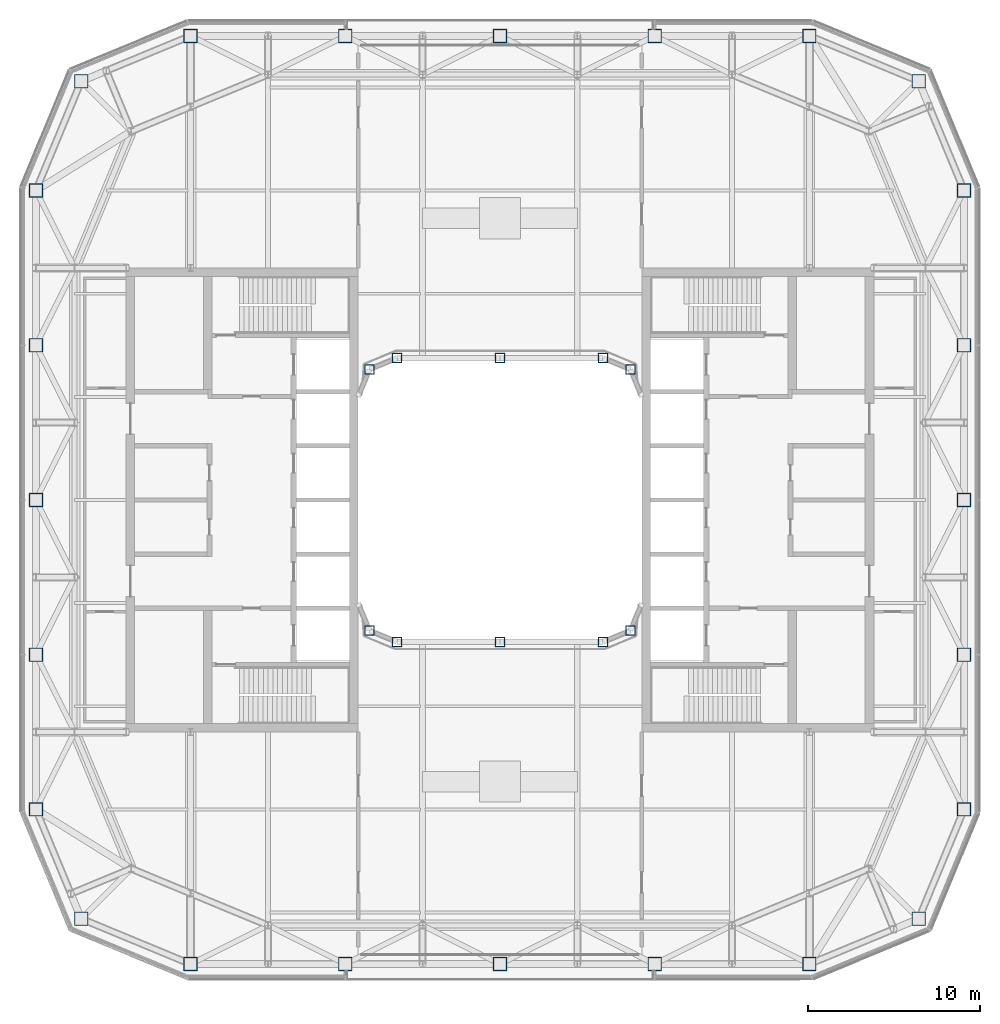
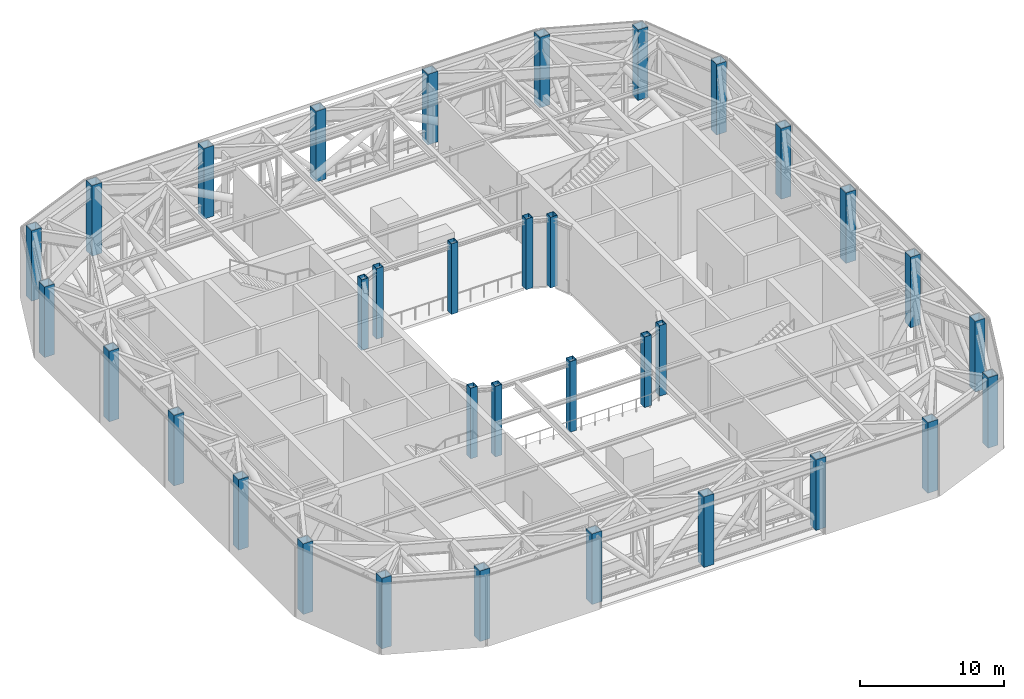
# One storey, part 1 of 21: 34 columns.
"""IFC4 building model written with IfcOpenShell, lengths in metres."""

from ifc_helpers import new_model, si_unit, direction, frame, origin, origin_2d, place, context, subcontext, project, spatial, hollow_rectangle, extrude, material, material_profile, profile_set, type_object, element, save


model = new_model("IFC4")

# Units and contexts
model_context = context("Model", 3, precision=1e-05, world=origin(), true_north=direction((0.0, 1.0)))
body_context = subcontext(model_context, "Body", "Model", "MODEL_VIEW")
ifc_project = project(units=[si_unit("LENGTHUNIT", "METRE"), si_unit("AREAUNIT", "SQUARE_METRE"), si_unit("VOLUMEUNIT", "CUBIC_METRE"), si_unit("PLANEANGLEUNIT", "RADIAN"), si_unit("MASSUNIT", "GRAM", prefix="KILO")], contexts=[model_context])

# Site, building, storey
site_placement = place(None, origin())
site = spatial("IfcSite", under=ifc_project, at=site_placement, CompositionType="ELEMENT")
building_placement = place(site_placement, origin())
building = spatial("IfcBuilding", under=site, at=building_placement, Name="Siwar Civic Tower", CompositionType="ELEMENT")
storey_placement = place(building_placement, frame((0.0, 0.0, 278.199951171875)))
storey = spatial("IfcBuildingStorey", under=building, at=storey_placement, Name="L60", CompositionType="ELEMENT", Elevation=278.199951171875)

# Columns
ifc_material_1 = material(Name="Steel S355", Category="steel")
ifc_material_profile_1 = material_profile(ifc_material_1, hollow_rectangle(XDim=0.800048828125, YDim=0.800048828125, WallThickness=0.044921875, at=origin_2d()), Name="BOX800x800x45")
ifc_profile_set_1 = profile_set([ifc_material_profile_1], Name="Steel S355")
column_type_1 = type_object("IfcColumnType", Name="STR-COL-BOX800x800x45", PredefinedType="COLUMN", material=ifc_profile_set_1)
for number, where, z_axis, x_axis, name in (
    (1, (-18.0, -27.0, 0.0), (0.0, 0.0, 1.0), (1.0, 0.0, 0.0), "L60/col/S-0"),
    (2, (-9.0, -27.0, 0.0), (0.0, 0.0, 1.0), (1.0, 0.0, 0.0), "L60/col/S-1"),
    (3, (0.0, -27.0, 0.0), (0.0, 0.0, 1.0), (1.0, 0.0, 0.0), "L60/col/S-2"),
    (4, (9.0, -27.0, 0.0), (0.0, 0.0, 1.0), (1.0, 0.0, 0.0), "L60/col/S-3"),
    (5, (18.0, -27.0, 0.0), (0.0, 0.0, 1.0), (1.0, 0.0, 0.0), "L60/col/SE1-0"),
    (6, (24.364013671875, -24.364013671875, 0.0), (0.0, 0.0, 1.0), (1.0, 0.0, 0.0), "L60/col/SE2-0"),
    (7, (27.0, -18.0, 0.0), (0.0, 0.0, 1.0), (1.0, 0.0, 0.0), "L60/col/E-0"),
    (8, (27.0, -9.0, 0.0), (0.0, 0.0, 1.0), (1.0, 0.0, 0.0), "L60/col/E-1"),
    (9, (27.0, 0.0, 0.0), (0.0, 0.0, 1.0), (1.0, 0.0, 0.0), "L60/col/E-2"),
    (10, (27.0, 9.0, 0.0), (0.0, 0.0, 1.0), (1.0, 0.0, 0.0), "L60/col/E-3"),
    (11, (27.0, 18.0, 0.0), (0.0, 0.0, 1.0), (1.0, 0.0, 0.0), "L60/col/NE1-0"),
    (12, (24.364013671875, 24.364013671875, 0.0), (0.0, 0.0, 1.0), (1.0, 0.0, 0.0), "L60/col/NE2-0"),
    (13, (18.0, 27.0, 0.0), (0.0, 0.0, 1.0), (1.0, 0.0, 0.0), "L60/col/N-0"),
    (14, (9.0, 27.0, 0.0), (0.0, 0.0, 1.0), (1.0, 0.0, 0.0), "L60/col/N-1"),
    (15, (0.0, 27.0, 0.0), (0.0, 0.0, 1.0), (1.0, 0.0, 0.0), "L60/col/N-2"),
    (16, (-9.0, 27.0, 0.0), (0.0, 0.0, 1.0), (1.0, 0.0, 0.0), "L60/col/N-3"),
    (17, (-18.0, 27.0, 0.0), (0.0, 0.0, 1.0), (1.0, 0.0, 0.0), "L60/col/NW1-0"),
    (18, (-24.364013671875, 24.364013671875, 0.0), (0.0, 0.0, 1.0), (1.0, 0.0, 0.0), "L60/col/NW2-0"),
    (19, (-27.0, 18.0, 0.0), (0.0, 0.0, 1.0), (1.0, 0.0, 0.0), "L60/col/W-0"),
    (20, (-27.0, 9.0, 0.0), (0.0, 0.0, 1.0), (1.0, 0.0, 0.0), "L60/col/W-1"),
    (21, (-27.0, 0.0, 0.0), (0.0, 0.0, 1.0), (1.0, 0.0, 0.0), "L60/col/W-2"),
    (22, (-27.0, -9.0, 0.0), (0.0, 0.0, 1.0), (1.0, 0.0, 0.0), "L60/col/W-3"),
    (23, (-27.0, -18.0, 0.0), (0.0, 0.0, 1.0), (1.0, 0.0, 0.0), "L60/col/SW1-0"),
    (24, (-24.364013671875, -24.364013671875, 0.0), (0.0, 0.0, 1.0), (1.0, 0.0, 0.0), "L60/col/SW2-0"),
):
    element("IfcColumn", number, at=place(storey_placement, frame(where, z_axis=z_axis, x_axis=x_axis)), inside=storey, type_object=column_type_1, Name=name, PredefinedType="COLUMN", context=body_context, shape_type="SweptSolid", body=[
        extrude(hollow_rectangle(XDim=0.800048828125, YDim=0.800048828125, WallThickness=0.044921875, at=origin_2d()), origin(), (0.0, 0.0, 1.0), 6.0),
    ])
ifc_material_2 = material(Name="Steel S355", Category="steel")
ifc_material_profile_2 = material_profile(ifc_material_2, hollow_rectangle(XDim=0.550048828125, YDim=0.550048828125, WallThickness=0.028076171875, at=origin_2d()), Name="BOX550x550x28")
ifc_profile_set_2 = profile_set([ifc_material_profile_2], Name="Steel S355")
column_type_2 = type_object("IfcColumnType", Name="STR-ICOL-BOX550x550x28", PredefinedType="COLUMN", material=ifc_profile_set_2)
for number, where, z_axis, x_axis, name in (
    (25, (-7.591064453125, -7.591064453125, 0.0), (0.0, 0.0, 1.0), (1.0, 0.0, 0.0), "L60/col/IS-0"),
    (26, (-6.0, -8.25, 0.0), (0.0, 0.0, 1.0), (1.0, 0.0, 0.0), "L60/col/IS-1"),
    (27, (0.0, -8.25, 0.0), (0.0, 0.0, 1.0), (1.0, 0.0, 0.0), "L60/col/IS-2"),
    (28, (6.0, -8.25, 0.0), (0.0, 0.0, 1.0), (1.0, 0.0, 0.0), "L60/col/IS-3"),
    (29, (7.591064453125, -7.591064453125, 0.0), (0.0, 0.0, 1.0), (1.0, 0.0, 0.0), "L60/col/IS-4"),
    (30, (-7.591064453125, 7.591064453125, 0.0), (0.0, 0.0, 1.0), (1.0, 0.0, 0.0), "L60/col/IN-0"),
    (31, (-6.0, 8.25, 0.0), (0.0, 0.0, 1.0), (1.0, 0.0, 0.0), "L60/col/IN-1"),
    (32, (0.0, 8.25, 0.0), (0.0, 0.0, 1.0), (1.0, 0.0, 0.0), "L60/col/IN-2"),
    (33, (6.0, 8.25, 0.0), (0.0, 0.0, 1.0), (1.0, 0.0, 0.0), "L60/col/IN-3"),
    (34, (7.591064453125, 7.591064453125, 0.0), (0.0, 0.0, 1.0), (1.0, 0.0, 0.0), "L60/col/IN-4"),
):
    element("IfcColumn", number, at=place(storey_placement, frame(where, z_axis=z_axis, x_axis=x_axis)), inside=storey, type_object=column_type_2, Name=name, PredefinedType="COLUMN", context=body_context, shape_type="SweptSolid", body=[
        extrude(hollow_rectangle(XDim=0.550048828125, YDim=0.550048828125, WallThickness=0.028076171875, at=origin_2d()), origin(), (0.0, 0.0, 1.0), 6.0),
    ])

save(model, "model.ifc")
